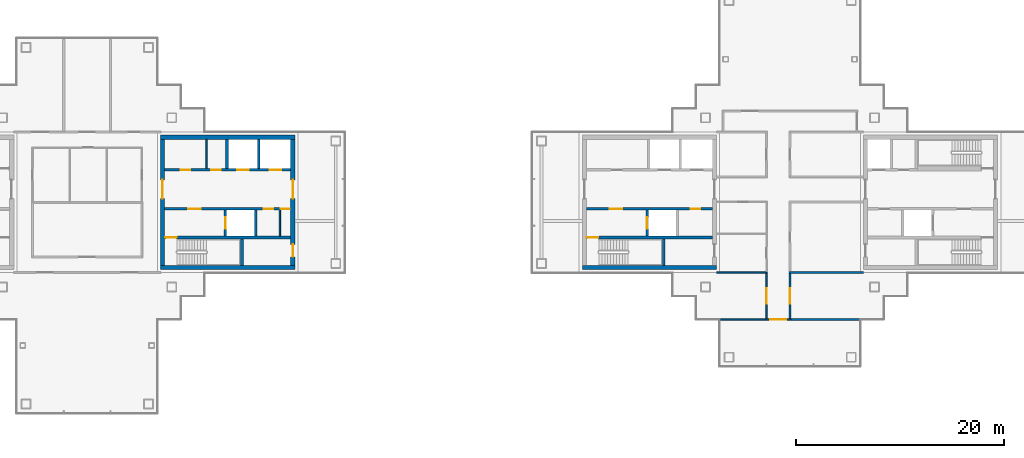
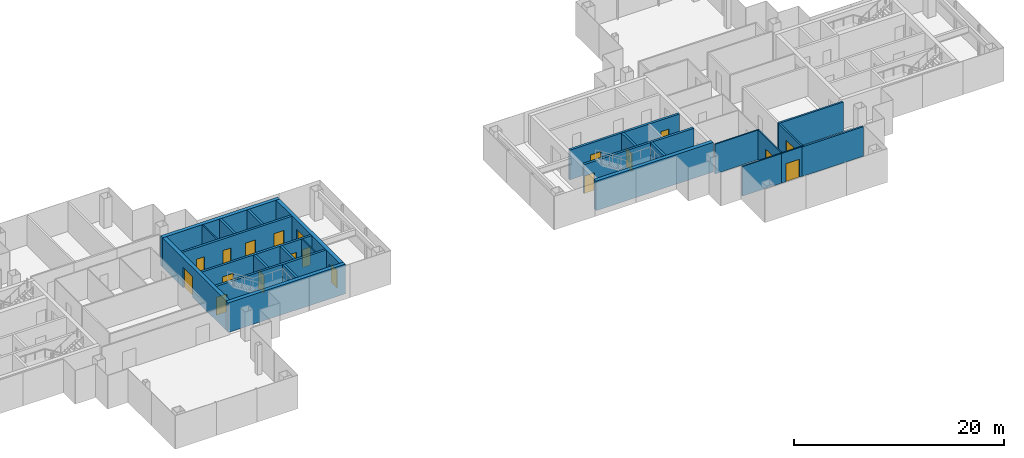
# One storey, part 10 of 15: 26 walls, 19 doors, 19 openings.
"""IFC4 building model written with IfcOpenShell, lengths in metres."""

import ifcopenshell
import ifcopenshell.guid

model = None  # the IFC model being written
_history = None  # IfcOwnerHistory: only IFC2X3 demands one
_inside = {}  # id of a spatial element -> (the spatial element, [elements in it])
_under = {}  # id of a project, library or spatial element -> (it, [spatial elements below it])
_declared = {}  # id of a project -> (the project, [libraries it declares])
_typed = {}  # id of a type object -> (the type object, [elements of that type])
_made_of = {}  # id of a material, layer set ... -> (it, [elements and type objects made of it])


def new_model(schema):
    """Start an empty IFC model of exactly this schema.

    Asked for "IFC4X3", IfcOpenShell would pick the latest addendum, in which some entities
    have other attributes; the version numbers below select the first issue.
    IFC2X3 requires an IfcOwnerHistory on every rooted entity: one is made here for all.
    """
    global model, _history
    if schema == "IFC4X3":
        model = ifcopenshell.file(schema_version=(4, 3, 0, 0))
    else:
        model = ifcopenshell.file(schema=schema)
    _inside.clear()
    _under.clear()
    _declared.clear()
    _typed.clear()
    _made_of.clear()
    _history = None
    if model.schema == "IFC2X3":
        org = make("IfcOrganization", Name="unknown")
        user = make(
            "IfcPersonAndOrganization",
            ThePerson=make("IfcPerson", FamilyName="unknown"),
            TheOrganization=org,
        )
        app = make(
            "IfcApplication",
            ApplicationDeveloper=org,
            Version="unknown",
            ApplicationFullName="unknown",
            ApplicationIdentifier="unknown",
        )
        _history = make(
            "IfcOwnerHistory",
            OwningUser=user,
            OwningApplication=app,
            ChangeAction="ADDED",
            CreationDate=0,
        )
    return model


def make(cls, **values):
    """One entity of the class cls with the attributes given. An attribute that is None is left unset."""
    return model.create_entity(
        cls, **{name: value for name, value in values.items() if value is not None}
    )


def rooted(cls, **values):
    """An entity with a GlobalId (a new one), such as an element, a storey or a relation."""
    return make(cls, GlobalId=ifcopenshell.guid.new(), OwnerHistory=_history, **values)


def si_unit(unit_type, name, prefix=None):
    """IfcSIUnit, for example si_unit("LENGTHUNIT", "METRE", prefix="MILLI")."""
    return make("IfcSIUnit", UnitType=unit_type, Prefix=prefix, Name=name)


def assignment(units):
    """IfcUnitAssignment: the units of a project."""
    return None if units is None else make("IfcUnitAssignment", Units=units)


def point(xyz):
    """IfcCartesianPoint."""
    return None if xyz is None else make("IfcCartesianPoint", Coordinates=xyz)


def direction(xyz):
    """IfcDirection."""
    return None if xyz is None else make("IfcDirection", DirectionRatios=xyz)


def frame(location, z_axis=None, x_axis=None):
    """IfcAxis2Placement3D, a coordinate frame: its origin and axes. An axis left out is left unset."""
    return make(
        "IfcAxis2Placement3D",
        Location=point(location),
        Axis=direction(z_axis),
        RefDirection=direction(x_axis),
    )


def frame_2d(location, x_axis=None):
    """IfcAxis2Placement2D, a coordinate frame in the plane: its origin and x axis."""
    return make(
        "IfcAxis2Placement2D", Location=point(location), RefDirection=direction(x_axis)
    )


def origin():
    """The frame at (0, 0, 0) with its axes left unset."""
    return frame((0.0, 0.0, 0.0))


def place(relative_to, where):
    """IfcLocalPlacement: puts the frame where relative to a parent placement (None: the world)."""
    return make(
        "IfcLocalPlacement", PlacementRelTo=relative_to, RelativePlacement=where
    )


def context(
    kind, dimensions, precision=None, world=None, true_north=None, identifier=None
):
    """IfcGeometricRepresentationContext, for example the 3D "Model" context."""
    return make(
        "IfcGeometricRepresentationContext",
        ContextIdentifier=identifier,
        ContextType=kind,
        CoordinateSpaceDimension=dimensions,
        Precision=precision,
        WorldCoordinateSystem=world,
        TrueNorth=true_north,
    )


def subcontext(parent, identifier, kind, view, scale=None):
    """IfcGeometricRepresentationSubContext, for example "Body" below "Model"."""
    return make(
        "IfcGeometricRepresentationSubContext",
        ContextIdentifier=identifier,
        ContextType=kind,
        ParentContext=parent,
        TargetScale=scale,
        TargetView=view,
    )


def project(units=None, contexts=None):
    """IfcProject with its units and contexts."""
    return rooted(
        "IfcProject",
        Name="project",
        RepresentationContexts=contexts,
        UnitsInContext=assignment(units),
    )


def spatial(cls, under=None, at=None, **own):
    """A site, building, storey or space (cls), placed at a placement, below another one or the project."""
    s = rooted(cls, ObjectPlacement=at, **own)
    if under is not None:
        _under.setdefault(under.id(), (under, []))[1].append(s)
    return s


def profile(cls, at=None, kind="AREA", **sizes):
    """A parametric profile (cls). Its sizes go by their IFC names, for example OverallWidth=200.0."""
    return make(cls, ProfileType=kind, Position=at, **sizes)


def rectangle(**sizes):
    """IfcRectangleProfileDef."""
    return profile("IfcRectangleProfileDef", **sizes)


def extrude(swept, where, along, depth):
    """IfcExtrudedAreaSolid: the profile swept, set in the frame where, extruded along a direction by depth."""
    return make(
        "IfcExtrudedAreaSolid",
        SweptArea=swept,
        Position=where,
        ExtrudedDirection=direction(along),
        Depth=depth,
    )


def shape(context_of_items, identifier, shape_type, items):
    """IfcShapeRepresentation: the items that make up one representation, for example the "Body"."""
    return make(
        "IfcShapeRepresentation",
        ContextOfItems=context_of_items,
        RepresentationIdentifier=identifier,
        RepresentationType=shape_type,
        Items=items,
    )


def material(Name=None, Category=None):
    """IfcMaterial."""
    return make("IfcMaterial", Name=Name, Category=Category)


def layer(
    of_material, thickness, ventilated=None, Name=None, Category=None, Priority=None
):
    """IfcMaterialLayer: one layer of a wall or slab, of a material (None: an air gap)."""
    return make(
        "IfcMaterialLayer",
        Material=of_material,
        LayerThickness=thickness,
        IsVentilated=ventilated,
        Name=Name,
        Category=Category,
        Priority=Priority,
    )


def layer_set(layers, Name=None):
    """IfcMaterialLayerSet."""
    return make("IfcMaterialLayerSet", MaterialLayers=layers, LayerSetName=Name)


def made_of(thing, what):
    """Note that an element or type object is made of a material, layer set ...; save() writes the relation."""
    if what is not None:
        _made_of.setdefault(what.id(), (what, []))[1].append(thing)
    return thing


def type_object(cls, material=None, **own):
    """A type object (cls), such as IfcWallType, which elements share."""
    return made_of(rooted(cls, **own), material)


def element(
    cls,
    number,
    at=None,
    inside=None,
    cuts=None,
    type_object=None,
    material=None,
    context=None,
    identifier="Body",
    shape_type=None,
    held_by="IfcProductDefinitionShape",
    body=None,
    shapes=None,
    **own,
):
    """One element of the class cls, such as IfcWall. Its Tag is "e" and its number.

    at: its placement. inside: the storey or other place that contains it. cuts: it is an
    opening in that element (IfcRelVoidsElement). A single representation is given by context,
    identifier, shape_type and body (its items); several are given by shapes. held_by: the class
    of the entity that holds the representations. save() writes the other relations.
    """
    e = rooted(cls, Tag="e%d" % number, ObjectPlacement=at, **own)
    if body is not None:
        shapes = [shape(context, identifier, shape_type, body)]
    if shapes is not None:
        e.Representation = make(held_by, Representations=shapes)
    if inside is not None:
        _inside.setdefault(inside.id(), (inside, []))[1].append(e)
    if cuts is not None:
        rooted(
            "IfcRelVoidsElement", RelatingBuildingElement=cuts, RelatedOpeningElement=e
        )
    if type_object is not None:
        _typed.setdefault(type_object.id(), (type_object, []))[1].append(e)
    return made_of(e, material)


def fill(opening, filler):
    """IfcRelFillsElement: the door or window that sits in an opening."""
    return rooted(
        "IfcRelFillsElement",
        RelatingOpeningElement=opening,
        RelatedBuildingElement=filler,
    )


def aggregate(whole, parts):
    """IfcRelAggregates: a whole, such as a stair, and the parts it consists of."""
    return rooted("IfcRelAggregates", RelatingObject=whole, RelatedObjects=parts)


def save(model, path):
    """Write the relations noted so far, then the file.

    IfcRelAggregates (storeys below a building ...), IfcRelContainedInSpatialStructure (elements
    in a storey), IfcRelDefinesByType, IfcRelAssociatesMaterial and IfcRelDeclares: one each for
    every whole, place, type object, material and project.
    """
    for whole, parts in _under.values():
        aggregate(whole, parts)
    for where, things in _inside.values():
        rooted(
            "IfcRelContainedInSpatialStructure",
            RelatedElements=things,
            RelatingStructure=where,
        )
    for kind, things in _typed.values():
        rooted("IfcRelDefinesByType", RelatedObjects=things, RelatingType=kind)
    for what, things in _made_of.values():
        rooted("IfcRelAssociatesMaterial", RelatedObjects=things, RelatingMaterial=what)
    for by, libraries in _declared.values():
        rooted("IfcRelDeclares", RelatingContext=by, RelatedDefinitions=libraries)
    model.write(path)


model = new_model("IFC4")

# Units and contexts
model_context = context("Model", 3, precision=1e-05, world=origin(), true_north=direction((0.0, 1.0)))
body_context = subcontext(model_context, "Body", "Model", "MODEL_VIEW")
ifc_project = project(units=[si_unit("LENGTHUNIT", "METRE"), si_unit("AREAUNIT", "SQUARE_METRE"), si_unit("VOLUMEUNIT", "CUBIC_METRE"), si_unit("PLANEANGLEUNIT", "RADIAN"), si_unit("MASSUNIT", "GRAM", prefix="KILO")], contexts=[model_context])

# Site, building, storey
site_placement = place(None, origin())
site = spatial("IfcSite", under=ifc_project, at=site_placement, CompositionType="ELEMENT")
building_placement = place(site_placement, origin())
building = spatial("IfcBuilding", under=site, at=building_placement, Name="Shamsa Quay Exchange Towers", CompositionType="ELEMENT")
storey_placement = place(building_placement, frame((0.0, 0.0, 269.39990234375)))
storey = spatial("IfcBuildingStorey", under=building, at=storey_placement, Name="L65", CompositionType="ELEMENT", Elevation=269.39990234375)

# Walls
ifc_material_1 = material(Name="Concrete C60/75", Category="concrete")
ifc_layer_1 = layer(ifc_material_1, 0.39990234375)
ifc_layer_set_1 = layer_set([ifc_layer_1], Name="CORE WALL 400 C60/75")
wall_type_1 = type_object("IfcWallType", Name="CORE WALL 400 C60/75", PredefinedType="SHEAR", material=ifc_layer_set_1)
for number, where, name in (
    (1, (-26.699951171875, -6.25, 0.0), "Core wall T1A-R30-PS"),
    (2, (-26.699951171875, 6.25, 0.0), "Core wall T1A-R30-PN"),
):
    element("IfcWall", number, at=place(storey_placement, frame(where)), inside=storey, type_object=wall_type_1, Name=name, PredefinedType="SHEAR", context=body_context, shape_type="SweptSolid", body=[
        extrude(rectangle(XDim=12.89990234375, YDim=0.39990234375, at=frame_2d((6.449951171875, 0.0))), origin(), (0.0, 0.0, 1.0), 3.4501953125),
    ])

# Wall, opening, door
wall_1_placement = place(storey_placement, frame((-26.5, 6.050048828125, 0.0), z_axis=(0.0, 0.0, 1.0), x_axis=(0.0, -1.0, 0.0)))
wall_1 = element("IfcWall", 3, at=wall_1_placement, inside=storey, type_object=wall_type_1, Name="Core wall T1A-R30-PF", PredefinedType="SHEAR", context=body_context, shape_type="SweptSolid", body=[
    extrude(rectangle(XDim=12.10009765625, YDim=0.39990234375, at=frame_2d((6.050048828125, 0.0))), origin(), (0.0, 0.0, 1.0), 3.4501953125),
])
opening_1_placement = place(wall_1_placement, frame((3.89990234375, 0.0, 0.0)))
opening_1 = element("IfcOpeningElement", 4, at=opening_1_placement, cuts=wall_1, Name="Opening T1A-R30-LBD01", PredefinedType="OPENING", context=body_context, shape_type="SweptSolid", body=[
    extrude(rectangle(XDim=1.800048828125, YDim=2.39990234375, at=frame_2d((0.89990234375, 1.199951171875))), frame((0.0, 0.2099609375, 0.0), z_axis=(0.0, -1.0, 0.0), x_axis=(1.0, 0.0, 0.0)), (0.0, 0.0, 1.0), 0.419921875),
])
ifc_material_2 = material(Name="Steel, fire rated", Category="steel")
door_type_1 = type_object("IfcDoorType", Name="LIFT LOBBY DOOR PAIR 1800", OperationType="DOUBLE_DOOR_SINGLE_SWING", PredefinedType="DOOR", material=ifc_material_2)
door_1_placement = place(opening_1_placement, origin())
door_1 = element("IfcDoor", 5, at=door_1_placement, inside=storey, type_object=door_type_1, Name="T1A-R30-LBD01", OperationType="DOUBLE_DOOR_SINGLE_SWING", OverallHeight=2.39990234375, OverallWidth=1.800048828125, PredefinedType="DOOR", context=body_context, shape_type="SweptSolid", body=[
    extrude(rectangle(XDim=1.800048828125, YDim=2.39990234375, at=frame_2d((0.89990234375, 1.199951171875))), frame((0.0, 0.02490234375, 0.0), z_axis=(0.0, -1.0, 0.0), x_axis=(1.0, 0.0, 0.0)), (0.0, 0.0, 1.0), 0.050048828125),
])
fill(opening_1, door_1)

# Wall, openings, doors
wall_2_placement = place(storey_placement, frame((-14.0, 6.050048828125, 0.0), z_axis=(0.0, 0.0, 1.0), x_axis=(0.0, -1.0, 0.0)))
wall_2 = element("IfcWall", 6, at=wall_2_placement, inside=storey, type_object=wall_type_1, Name="Core wall T1A-R30-PB", PredefinedType="SHEAR", context=body_context, shape_type="SweptSolid", body=[
    extrude(rectangle(XDim=12.10009765625, YDim=0.39990234375, at=frame_2d((6.050048828125, 0.0))), origin(), (0.0, 0.0, 1.0), 3.4501953125),
])
opening_2_placement = place(wall_2_placement, frame((10.10009765625, 0.0, 0.0)))
opening_2 = element("IfcOpeningElement", 7, at=opening_2_placement, cuts=wall_2, Name="Opening T1A-R30-RD02", PredefinedType="OPENING", context=body_context, shape_type="SweptSolid", body=[
    extrude(rectangle(XDim=1.199951171875, YDim=2.10009765625, at=frame_2d((0.60009765625, 1.050048828125))), frame((0.0, 0.2099609375, 0.0), z_axis=(0.0, -1.0, 0.0), x_axis=(1.0, 0.0, 0.0)), (0.0, 0.0, 1.0), 0.419921875),
])
opening_3_placement = place(wall_2_placement, frame((3.89990234375, 0.0, 0.0)))
opening_3 = element("IfcOpeningElement", 8, at=opening_3_placement, cuts=wall_2, Name="Opening T1A-R30-LBD03", PredefinedType="OPENING", context=body_context, shape_type="SweptSolid", body=[
    extrude(rectangle(XDim=1.800048828125, YDim=2.39990234375, at=frame_2d((0.89990234375, 1.199951171875))), frame((0.0, 0.2099609375, 0.0), z_axis=(0.0, -1.0, 0.0), x_axis=(1.0, 0.0, 0.0)), (0.0, 0.0, 1.0), 0.419921875),
])
door_2_placement = place(opening_3_placement, origin())
door_2 = element("IfcDoor", 9, at=door_2_placement, inside=storey, type_object=door_type_1, Name="T1A-R30-LBD03", OperationType="DOUBLE_DOOR_SINGLE_SWING", OverallHeight=2.39990234375, OverallWidth=1.800048828125, PredefinedType="DOOR", context=body_context, shape_type="SweptSolid", body=[
    extrude(rectangle(XDim=1.800048828125, YDim=2.39990234375, at=frame_2d((0.89990234375, 1.199951171875))), frame((0.0, 0.02490234375, 0.0), z_axis=(0.0, -1.0, 0.0), x_axis=(1.0, 0.0, 0.0)), (0.0, 0.0, 1.0), 0.050048828125),
])
fill(opening_3, door_2)
door_type_2 = type_object("IfcDoorType", Name="RISER ACCESS DOOR 1200", OperationType="SINGLE_SWING_LEFT", PredefinedType="DOOR", material=ifc_material_2)
door_3_placement = place(opening_2_placement, origin())
door_3 = element("IfcDoor", 10, at=door_3_placement, inside=storey, type_object=door_type_2, Name="T1A-R30-RD02", OperationType="SINGLE_SWING_RIGHT", OverallHeight=2.10009765625, OverallWidth=1.199951171875, PredefinedType="DOOR", context=body_context, shape_type="SweptSolid", body=[
    extrude(rectangle(XDim=1.199951171875, YDim=2.10009765625, at=frame_2d((0.60009765625, 1.050048828125))), frame((0.0, 0.02490234375, 0.0), z_axis=(0.0, -1.0, 0.0), x_axis=(1.0, 0.0, 0.0)), (0.0, 0.0, 1.0), 0.050048828125),
])
fill(opening_2, door_3)

# Walls
wall_3_placement = place(storey_placement, frame((13.800048828125, -6.25, 0.0)))
element("IfcWall", 11, at=wall_3_placement, inside=storey, type_object=wall_type_1, Name="Core wall T2A-R30-PS", PredefinedType="SHEAR", context=body_context, shape_type="SweptSolid", body=[
    extrude(rectangle(XDim=12.89990234375, YDim=0.39990234375, at=frame_2d((6.449951171875, 0.0))), origin(), (0.0, 0.0, 1.0), 3.4501953125),
])
ifc_material_3 = material(Name="Gypsum board on steel studs, EI 60", Category="steel")
ifc_layer_2 = layer(ifc_material_3, 0.14990234375)
ifc_layer_set_2 = layer_set([ifc_layer_2], Name="FIRE PARTITION 150")
wall_type_2 = type_object("IfcWallType", Name="FIRE PARTITION 150", PredefinedType="PARTITIONING", material=ifc_layer_set_2)
wall_4_placement = place(storey_placement, frame((-15.25, -3.25, 0.0), z_axis=(0.0, 0.0, 1.0), x_axis=(0.0, 1.0, 0.0)))
element("IfcWall", 12, at=wall_4_placement, inside=storey, type_object=wall_type_2, Name="Partition T1A-R30-EC0", PredefinedType="PARTITIONING", context=body_context, shape_type="SweptSolid", body=[
    extrude(rectangle(XDim=2.5, YDim=0.14990234375, at=frame_2d((1.25, 0.0))), origin(), (0.0, 0.0, 1.0), 3.4501953125),
])
wall_5_placement = place(storey_placement, frame((-22.300048828125, 3.25, 0.0), z_axis=(0.0, 0.0, 1.0), x_axis=(0.0, 1.0, 0.0)))
element("IfcWall", 13, at=wall_5_placement, inside=storey, type_object=wall_type_2, Name="Partition T1A-R30-FC0", PredefinedType="PARTITIONING", context=body_context, shape_type="SweptSolid", body=[
    extrude(rectangle(XDim=2.800048828125, YDim=0.14990234375, at=frame_2d((1.39990234375, 0.0))), origin(), (0.0, 0.0, 1.0), 3.4501953125),
])

# Wall, opening, door
ifc_material_4 = material(Name="Gypsum board partition on metal studs")
ifc_layer_3 = layer(ifc_material_4, 0.14990234375)
ifc_layer_set_3 = layer_set([ifc_layer_3], Name="Partition 150 mm EI 60")
wall_type_3 = type_object("IfcWallType", Name="Partition 150 mm EI 60", PredefinedType="PARTITIONING", material=ifc_layer_set_3)
wall_6_placement = place(storey_placement, frame((31.5, -11.175048828125, 0.0), z_axis=(0.0, 0.0, 1.0), x_axis=(0.0, 1.0, 0.0)))
wall_6 = element("IfcWall", 14, at=wall_6_placement, inside=storey, type_object=wall_type_3, Name="Partition T2-R30-W04", PredefinedType="PARTITIONING", context=body_context, shape_type="SweptSolid", body=[
    extrude(rectangle(XDim=4.35009765625, YDim=0.14990234375, at=frame_2d((2.175048828125, 0.0))), origin(), (0.0, 0.0, 1.0), 3.4501953125),
])
opening_4_placement = place(wall_6_placement, frame((1.425048828125, 0.0, 0.0)))
opening_4 = element("IfcOpeningElement", 15, at=opening_4_placement, cuts=wall_6, Name="Opening T2-R30-D06", PredefinedType="OPENING", context=body_context, shape_type="SweptSolid", body=[
    extrude(rectangle(XDim=1.5, YDim=2.10009765625, at=frame_2d((0.75, 1.050048828125))), frame((0.0, 0.0849609375, 0.0), z_axis=(0.0, -1.0, 0.0), x_axis=(1.0, 0.0, 0.0)), (0.0, 0.0, 1.0), 0.169921875),
])
ifc_material_5 = material(Name="Timber door leaf in a metal frame", Category="wood")
door_type_3 = type_object("IfcDoorType", Name="Door 1500x2100 FD30S pair", OperationType="NOTDEFINED", PredefinedType="DOOR", material=ifc_material_5)
door_4_placement = place(opening_4_placement, origin())
door_4 = element("IfcDoor", 16, at=door_4_placement, inside=storey, type_object=door_type_3, Name="Door T2-R30-D06", OperationType="DOUBLE_DOOR_SINGLE_SWING", OverallHeight=2.10009765625, OverallWidth=1.5, PredefinedType="DOOR", context=body_context, shape_type="SweptSolid", body=[
    extrude(rectangle(XDim=1.5, YDim=2.10009765625, at=frame_2d((0.75, 1.050048828125))), frame((0.0, 0.02490234375, 0.0), z_axis=(0.0, -1.0, 0.0), x_axis=(1.0, 0.0, 0.0)), (0.0, 0.0, 1.0), 0.050048828125),
])
fill(opening_4, door_4)

wall_7_placement = place(storey_placement, frame((33.85009765625, -11.25, 0.0), z_axis=(0.0, 0.0, 1.0), x_axis=(-1.0, 0.0, 0.0)))
wall_7 = element("IfcWall", 17, at=wall_7_placement, inside=storey, type_object=wall_type_3, Name="Partition T2-R30-W16", PredefinedType="PARTITIONING", context=body_context, shape_type="SweptSolid", body=[
    extrude(rectangle(XDim=2.425048828125, YDim=0.14990234375, at=frame_2d((1.21240234375, 0.0))), origin(), (0.0, 0.0, 1.0), 3.4501953125),
])
opening_5_placement = place(wall_7_placement, frame((0.47509765625, 0.0, 0.0)))
opening_5 = element("IfcOpeningElement", 18, at=opening_5_placement, cuts=wall_7, Name="Opening T2-R30-D05", PredefinedType="OPENING", context=body_context, shape_type="SweptSolid", body=[
    extrude(rectangle(XDim=1.5, YDim=2.10009765625, at=frame_2d((0.75, 1.050048828125))), frame((0.0, 0.0849609375, 0.0), z_axis=(0.0, -1.0, 0.0), x_axis=(1.0, 0.0, 0.0)), (0.0, 0.0, 1.0), 0.169921875),
])
door_5_placement = place(opening_5_placement, origin())
door_5 = element("IfcDoor", 19, at=door_5_placement, inside=storey, type_object=door_type_3, Name="Door T2-R30-D05", OperationType="DOUBLE_DOOR_SINGLE_SWING", OverallHeight=2.10009765625, OverallWidth=1.5, PredefinedType="DOOR", context=body_context, shape_type="SweptSolid", body=[
    extrude(rectangle(XDim=1.5, YDim=2.10009765625, at=frame_2d((0.75, 1.050048828125))), frame((0.0, 0.02490234375, 0.0), z_axis=(0.0, -1.0, 0.0), x_axis=(1.0, 0.0, 0.0)), (0.0, 0.0, 1.0), 0.050048828125),
])
fill(opening_5, door_5)

# Walls
wall_8_placement = place(storey_placement, frame((26.699951171875, -6.75, 0.0)))
element("IfcWall", 20, at=wall_8_placement, inside=storey, type_object=wall_type_3, Name="Partition T2-R30-W18", PredefinedType="PARTITIONING", context=body_context, shape_type="SweptSolid", body=[
    extrude(rectangle(XDim=4.875, YDim=0.14990234375, at=frame_2d((2.4375, 0.0))), origin(), (0.0, 0.0, 1.0), 3.4501953125),
])
wall_9_placement = place(storey_placement, frame((27.094970703125, -11.25, 0.0)))
element("IfcWall", 21, at=wall_9_placement, inside=storey, type_object=wall_type_3, Name="Partition T2-R30-W20", PredefinedType="PARTITIONING", context=body_context, shape_type="SweptSolid", body=[
    extrude(rectangle(XDim=4.47998046875, YDim=0.14990234375, at=frame_2d((2.239990234375, 0.0))), origin(), (0.0, 0.0, 1.0), 3.4501953125),
])
ifc_layer_4 = layer(ifc_material_4, 0.199951171875)
ifc_layer_set_4 = layer_set([ifc_layer_4], Name="Partition 200 mm EI 120")
wall_type_4 = type_object("IfcWallType", Name="Partition 200 mm EI 120", PredefinedType="PARTITIONING", material=ifc_layer_set_4)
wall_10_placement = place(storey_placement, frame((33.64990234375, -6.75, 0.0)))
element("IfcWall", 22, at=wall_10_placement, inside=storey, type_object=wall_type_4, Name="Partition T2-R30-W19", PredefinedType="PARTITIONING", context=body_context, shape_type="SweptSolid", body=[
    extrude(rectangle(XDim=7.150146484375, YDim=0.199951171875, at=frame_2d((3.5751953125, 0.0))), origin(), (0.0, 0.0, 1.0), 3.4501953125),
])

# Wall, opening, door
ifc_layer_5 = layer(ifc_material_4, 0.199951171875)
ifc_layer_set_5 = layer_set([ifc_layer_5], Name="Partition 200 mm EI 90")
wall_type_5 = type_object("IfcWallType", Name="Partition 200 mm EI 90", PredefinedType="PARTITIONING", material=ifc_layer_set_5)
wall_11_placement = place(storey_placement, frame((33.75, -6.85009765625, 0.0), z_axis=(0.0, 0.0, 1.0), x_axis=(0.0, -1.0, 0.0)))
wall_11 = element("IfcWall", 23, at=wall_11_placement, inside=storey, type_object=wall_type_5, Name="Partition T2-R30-W15", PredefinedType="PARTITIONING", context=body_context, shape_type="SweptSolid", body=[
    extrude(rectangle(XDim=4.2998046875, YDim=0.199951171875, at=frame_2d((2.14990234375, 0.0))), origin(), (0.0, 0.0, 1.0), 3.4501953125),
])
opening_6_placement = place(wall_11_placement, frame((1.39990234375, 0.0, 0.0)))
opening_6 = element("IfcOpeningElement", 24, at=opening_6_placement, cuts=wall_11, Name="Opening T2-R30-D02", PredefinedType="OPENING", context=body_context, shape_type="SweptSolid", body=[
    extrude(rectangle(XDim=1.5, YDim=2.39990234375, at=frame_2d((0.75, 1.199951171875))), frame((0.0, 0.10986328125, 0.0), z_axis=(0.0, -1.0, 0.0), x_axis=(1.0, 0.0, 0.0)), (0.0, 0.0, 1.0), 0.219970703125),
])
door_type_4 = type_object("IfcDoorType", Name="Door 1500x2400 FD30S pair", OperationType="NOTDEFINED", PredefinedType="DOOR", material=ifc_material_5)
door_6_placement = place(opening_6_placement, origin())
door_6 = element("IfcDoor", 25, at=door_6_placement, inside=storey, type_object=door_type_4, Name="Door T2-R30-D02", OperationType="DOUBLE_DOOR_SINGLE_SWING", OverallHeight=2.39990234375, OverallWidth=1.5, PredefinedType="DOOR", context=body_context, shape_type="SweptSolid", body=[
    extrude(rectangle(XDim=1.5, YDim=2.39990234375, at=frame_2d((0.75, 1.199951171875))), frame((0.0, 0.02490234375, 0.0), z_axis=(0.0, -1.0, 0.0), x_axis=(1.0, 0.0, 0.0)), (0.0, 0.0, 1.0), 0.050048828125),
])
fill(opening_6, door_6)

# Wall
wall_12_placement = place(storey_placement, frame((33.64990234375, -11.25, 0.0)))
element("IfcWall", 26, at=wall_12_placement, inside=storey, type_object=wall_type_5, Name="Partition T2-R30-W21", PredefinedType="PARTITIONING", context=body_context, shape_type="SweptSolid", body=[
    extrude(rectangle(XDim=6.755126953125, YDim=0.199951171875, at=frame_2d((3.37744140625, 0.0))), origin(), (0.0, 0.0, 1.0), 3.4501953125),
])

# Wall, opening, door
ifc_material_6 = material(Name="Concrete C50/60", Category="concrete")
ifc_layer_6 = layer(ifc_material_6, 0.25)
ifc_layer_set_6 = layer_set([ifc_layer_6], Name="SHAFT WALL 250 C50/60")
wall_type_6 = type_object("IfcWallType", Name="SHAFT WALL 250 C50/60", PredefinedType="SHEAR", material=ifc_layer_set_6)
wall_13_placement = place(storey_placement, frame((-14.199951171875, -3.375, 0.0), z_axis=(0.0, 0.0, 1.0), x_axis=(-1.0, 0.0, 0.0)))
wall_13 = element("IfcWall", 27, at=wall_13_placement, inside=storey, type_object=wall_type_6, Name="Shaft wall T1A-R30-STL", PredefinedType="SHEAR", context=body_context, shape_type="SweptSolid", body=[
    extrude(rectangle(XDim=12.10009765625, YDim=0.25, at=frame_2d((6.050048828125, 0.0))), origin(), (0.0, 0.0, 1.0), 3.4501953125),
])
opening_7_placement = place(wall_13_placement, frame((10.949951171875, 0.0, 0.0)))
opening_7 = element("IfcOpeningElement", 28, at=opening_7_placement, cuts=wall_13, Name="Opening T1A-R30-SD04", PredefinedType="OPENING", context=body_context, shape_type="SweptSolid", body=[
    extrude(rectangle(XDim=1.10009765625, YDim=2.10009765625, at=frame_2d((0.550048828125, 1.050048828125))), frame((0.0, 0.135009765625, 0.0), z_axis=(0.0, -1.0, 0.0), x_axis=(1.0, 0.0, 0.0)), (0.0, 0.0, 1.0), 0.27001953125),
])
door_type_5 = type_object("IfcDoorType", Name="STAIR DOOR 1100", OperationType="SINGLE_SWING_LEFT", PredefinedType="DOOR", material=ifc_material_2)
door_7_placement = place(opening_7_placement, origin())
door_7 = element("IfcDoor", 29, at=door_7_placement, inside=storey, type_object=door_type_5, Name="T1A-R30-SD04", OperationType="SINGLE_SWING_RIGHT", OverallHeight=2.10009765625, OverallWidth=1.10009765625, PredefinedType="DOOR", context=body_context, shape_type="SweptSolid", body=[
    extrude(rectangle(XDim=1.10009765625, YDim=2.10009765625, at=frame_2d((0.550048828125, 1.050048828125))), frame((0.0, 0.02490234375, 0.0), z_axis=(0.0, -1.0, 0.0), x_axis=(1.0, 0.0, 0.0)), (0.0, 0.0, 1.0), 0.050048828125),
])
fill(opening_7, door_7)

# Wall
wall_14_placement = place(storey_placement, frame((-18.875, -6.050048828125, 0.0), z_axis=(0.0, 0.0, 1.0), x_axis=(0.0, 1.0, 0.0)))
element("IfcWall", 30, at=wall_14_placement, inside=storey, type_object=wall_type_6, Name="Shaft wall T1A-R30-STF", PredefinedType="SHEAR", context=body_context, shape_type="SweptSolid", body=[
    extrude(rectangle(XDim=2.550048828125, YDim=0.25, at=frame_2d((1.27490234375, 0.0))), origin(), (0.0, 0.0, 1.0), 3.4501953125),
])

# Wall, openings, doors
wall_15_placement = place(storey_placement, frame((-14.199951171875, -0.625, 0.0), z_axis=(0.0, 0.0, 1.0), x_axis=(-1.0, 0.0, 0.0)))
wall_15 = element("IfcWall", 31, at=wall_15_placement, inside=storey, type_object=wall_type_6, Name="Shaft wall T1A-R30-B", PredefinedType="SHEAR", context=body_context, shape_type="SweptSolid", body=[
    extrude(rectangle(XDim=12.10009765625, YDim=0.25, at=frame_2d((6.050048828125, 0.0))), origin(), (0.0, 0.0, 1.0), 3.4501953125),
])
opening_8_placement = place(wall_15_placement, frame((8.64990234375, 0.0, 0.0)))
opening_8 = element("IfcOpeningElement", 32, at=opening_8_placement, cuts=wall_15, Name="Opening T1A-R30-FD05", PredefinedType="OPENING", context=body_context, shape_type="SweptSolid", body=[
    extrude(rectangle(XDim=1.199951171875, YDim=2.10009765625, at=frame_2d((0.60009765625, 1.050048828125))), frame((0.0, 0.135009765625, 0.0), z_axis=(0.0, -1.0, 0.0), x_axis=(1.0, 0.0, 0.0)), (0.0, 0.0, 1.0), 0.27001953125),
])
opening_9_placement = place(wall_15_placement, frame((1.699951171875, 0.0, 0.0)))
opening_9 = element("IfcOpeningElement", 33, at=opening_9_placement, cuts=wall_15, Name="Opening T1A-R30-SV06", PredefinedType="OPENING", context=body_context, shape_type="SweptSolid", body=[
    extrude(rectangle(XDim=0.89990234375, YDim=2.10009765625, at=frame_2d((0.449951171875, 1.050048828125))), frame((0.0, 0.135009765625, 0.0), z_axis=(0.0, -1.0, 0.0), x_axis=(1.0, 0.0, 0.0)), (0.0, 0.0, 1.0), 0.27001953125),
])
opening_10_placement = place(wall_15_placement, frame((0.074951171875, 0.0, 0.0)))
opening_10 = element("IfcOpeningElement", 34, at=opening_10_placement, cuts=wall_15, Name="Opening T1A-R30-SV07", PredefinedType="OPENING", context=body_context, shape_type="SweptSolid", body=[
    extrude(rectangle(XDim=0.89990234375, YDim=2.10009765625, at=frame_2d((0.449951171875, 1.050048828125))), frame((0.0, 0.135009765625, 0.0), z_axis=(0.0, -1.0, 0.0), x_axis=(1.0, 0.0, 0.0)), (0.0, 0.0, 1.0), 0.27001953125),
])
door_type_6 = type_object("IfcDoorType", Name="FIRE SERVICE LOBBY DOOR 1200", OperationType="SINGLE_SWING_LEFT", PredefinedType="DOOR", material=ifc_material_2)
door_8_placement = place(opening_8_placement, origin())
door_8 = element("IfcDoor", 35, at=door_8_placement, inside=storey, type_object=door_type_6, Name="T1A-R30-FD05", OperationType="SINGLE_SWING_RIGHT", OverallHeight=2.10009765625, OverallWidth=1.199951171875, PredefinedType="DOOR", context=body_context, shape_type="SweptSolid", body=[
    extrude(rectangle(XDim=1.199951171875, YDim=2.10009765625, at=frame_2d((0.60009765625, 1.050048828125))), frame((0.0, 0.02490234375, 0.0), z_axis=(0.0, -1.0, 0.0), x_axis=(1.0, 0.0, 0.0)), (0.0, 0.0, 1.0), 0.050048828125),
])
fill(opening_8, door_8)
door_type_7 = type_object("IfcDoorType", Name="SERVICE ROOM DOOR 900", OperationType="SINGLE_SWING_LEFT", PredefinedType="DOOR", material=ifc_material_2)
door_9_placement = place(opening_9_placement, origin())
door_9 = element("IfcDoor", 36, at=door_9_placement, inside=storey, type_object=door_type_7, Name="T1A-R30-SV06", OperationType="SINGLE_SWING_LEFT", OverallHeight=2.10009765625, OverallWidth=0.89990234375, PredefinedType="DOOR", context=body_context, shape_type="SweptSolid", body=[
    extrude(rectangle(XDim=0.89990234375, YDim=2.10009765625, at=frame_2d((0.449951171875, 1.050048828125))), frame((0.0, 0.02490234375, 0.0), z_axis=(0.0, -1.0, 0.0), x_axis=(1.0, 0.0, 0.0)), (0.0, 0.0, 1.0), 0.050048828125),
])
fill(opening_9, door_9)
door_10_placement = place(opening_10_placement, origin())
door_10 = element("IfcDoor", 37, at=door_10_placement, inside=storey, type_object=door_type_7, Name="T1A-R30-SV07", OperationType="SINGLE_SWING_LEFT", OverallHeight=2.10009765625, OverallWidth=0.89990234375, PredefinedType="DOOR", context=body_context, shape_type="SweptSolid", body=[
    extrude(rectangle(XDim=0.89990234375, YDim=2.10009765625, at=frame_2d((0.449951171875, 1.050048828125))), frame((0.0, 0.02490234375, 0.0), z_axis=(0.0, -1.0, 0.0), x_axis=(1.0, 0.0, 0.0)), (0.0, 0.0, 1.0), 0.050048828125),
])
fill(opening_10, door_10)

# Wall, opening, door
wall_16_placement = place(storey_placement, frame((-20.47509765625, -3.25, 0.0), z_axis=(0.0, 0.0, 1.0), x_axis=(0.0, 1.0, 0.0)))
wall_16 = element("IfcWall", 38, at=wall_16_placement, inside=storey, type_object=wall_type_6, Name="Shaft wall T1A-R30-FFF", PredefinedType="SHEAR", context=body_context, shape_type="SweptSolid", body=[
    extrude(rectangle(XDim=2.5, YDim=0.25, at=frame_2d((1.25, 0.0))), origin(), (0.0, 0.0, 1.0), 3.4501953125),
])
opening_11_placement = place(wall_16_placement, frame((0.699951171875, 0.0, 0.0)))
opening_11 = element("IfcOpeningElement", 39, at=opening_11_placement, cuts=wall_16, Name="Opening T1A-R30-LDF08", PredefinedType="OPENING", context=body_context, shape_type="SweptSolid", body=[
    extrude(rectangle(XDim=1.10009765625, YDim=2.10009765625, at=frame_2d((0.550048828125, 1.050048828125))), frame((0.0, 0.135009765625, 0.0), z_axis=(0.0, -1.0, 0.0), x_axis=(1.0, 0.0, 0.0)), (0.0, 0.0, 1.0), 0.27001953125),
])
door_type_8 = type_object("IfcDoorType", Name="FIRE SERVICE LANDING DOOR 1100", OperationType="SLIDING_TO_LEFT", PredefinedType="DOOR", material=ifc_material_2)
door_11_placement = place(opening_11_placement, origin())
door_11 = element("IfcDoor", 40, at=door_11_placement, inside=storey, type_object=door_type_8, Name="T1A-R30-LDF08", OperationType="SLIDING_TO_LEFT", OverallHeight=2.10009765625, OverallWidth=1.10009765625, PredefinedType="DOOR", context=body_context, shape_type="SweptSolid", body=[
    extrude(rectangle(XDim=1.10009765625, YDim=2.10009765625, at=frame_2d((0.550048828125, 1.050048828125))), frame((0.0, 0.02490234375, 0.0), z_axis=(0.0, -1.0, 0.0), x_axis=(1.0, 0.0, 0.0)), (0.0, 0.0, 1.0), 0.050048828125),
])
fill(opening_11, door_11)

# Wall
wall_17_placement = place(storey_placement, frame((-17.574951171875, -3.25, 0.0), z_axis=(0.0, 0.0, 1.0), x_axis=(0.0, 1.0, 0.0)))
element("IfcWall", 41, at=wall_17_placement, inside=storey, type_object=wall_type_6, Name="Shaft wall T1A-R30-FFB", PredefinedType="SHEAR", context=body_context, shape_type="SweptSolid", body=[
    extrude(rectangle(XDim=2.5, YDim=0.25, at=frame_2d((1.25, 0.0))), origin(), (0.0, 0.0, 1.0), 3.4501953125),
])

# Wall, openings, doors
wall_18_placement = place(storey_placement, frame((-26.300048828125, 3.125, 0.0)))
wall_18 = element("IfcWall", 42, at=wall_18_placement, inside=storey, type_object=wall_type_6, Name="Shaft wall T1A-R30-N", PredefinedType="SHEAR", context=body_context, shape_type="SweptSolid", body=[
    extrude(rectangle(XDim=12.10009765625, YDim=0.25, at=frame_2d((6.050048828125, 0.0))), origin(), (0.0, 0.0, 1.0), 3.4501953125),
])
opening_12_placement = place(wall_18_placement, frame((6.949951171875, 0.0, 0.0)))
opening_12 = element("IfcOpeningElement", 43, at=opening_12_placement, cuts=wall_18, Name="Opening T1A-R30-LD09", PredefinedType="OPENING", context=body_context, shape_type="SweptSolid", body=[
    extrude(rectangle(XDim=1.10009765625, YDim=2.10009765625, at=frame_2d((0.550048828125, 1.050048828125))), frame((0.0, 0.135009765625, 0.0), z_axis=(0.0, -1.0, 0.0), x_axis=(1.0, 0.0, 0.0)), (0.0, 0.0, 1.0), 0.27001953125),
])
opening_13_placement = place(wall_18_placement, frame((10.074951171875, 0.0, 0.0)))
opening_13 = element("IfcOpeningElement", 44, at=opening_13_placement, cuts=wall_18, Name="Opening T1A-R30-LD10", PredefinedType="OPENING", context=body_context, shape_type="SweptSolid", body=[
    extrude(rectangle(XDim=1.10009765625, YDim=2.10009765625, at=frame_2d((0.550048828125, 1.050048828125))), frame((0.0, 0.135009765625, 0.0), z_axis=(0.0, -1.0, 0.0), x_axis=(1.0, 0.0, 0.0)), (0.0, 0.0, 1.0), 0.27001953125),
])
opening_14_placement = place(wall_18_placement, frame((1.550048828125, 0.0, 0.0)))
opening_14 = element("IfcOpeningElement", 45, at=opening_14_placement, cuts=wall_18, Name="Opening T1A-R30-SV11", PredefinedType="OPENING", context=body_context, shape_type="SweptSolid", body=[
    extrude(rectangle(XDim=0.89990234375, YDim=2.10009765625, at=frame_2d((0.449951171875, 1.050048828125))), frame((0.0, 0.135009765625, 0.0), z_axis=(0.0, -1.0, 0.0), x_axis=(1.0, 0.0, 0.0)), (0.0, 0.0, 1.0), 0.27001953125),
])
opening_15_placement = place(wall_18_placement, frame((4.47509765625, 0.0, 0.0)))
opening_15 = element("IfcOpeningElement", 46, at=opening_15_placement, cuts=wall_18, Name="Opening T1A-R30-SV12", PredefinedType="OPENING", context=body_context, shape_type="SweptSolid", body=[
    extrude(rectangle(XDim=0.89990234375, YDim=2.10009765625, at=frame_2d((0.449951171875, 1.050048828125))), frame((0.0, 0.135009765625, 0.0), z_axis=(0.0, -1.0, 0.0), x_axis=(1.0, 0.0, 0.0)), (0.0, 0.0, 1.0), 0.27001953125),
])
door_type_9 = type_object("IfcDoorType", Name="LANDING DOOR 1100", OperationType="SLIDING_TO_LEFT", PredefinedType="DOOR", material=ifc_material_2)
door_12_placement = place(opening_12_placement, origin())
door_12 = element("IfcDoor", 47, at=door_12_placement, inside=storey, type_object=door_type_9, Name="T1A-R30-LD09", OperationType="SLIDING_TO_LEFT", OverallHeight=2.10009765625, OverallWidth=1.10009765625, PredefinedType="DOOR", context=body_context, shape_type="SweptSolid", body=[
    extrude(rectangle(XDim=1.10009765625, YDim=2.10009765625, at=frame_2d((0.550048828125, 1.050048828125))), frame((0.0, 0.02490234375, 0.0), z_axis=(0.0, -1.0, 0.0), x_axis=(1.0, 0.0, 0.0)), (0.0, 0.0, 1.0), 0.050048828125),
])
fill(opening_12, door_12)
door_13_placement = place(opening_13_placement, origin())
door_13 = element("IfcDoor", 48, at=door_13_placement, inside=storey, type_object=door_type_9, Name="T1A-R30-LD10", OperationType="SLIDING_TO_LEFT", OverallHeight=2.10009765625, OverallWidth=1.10009765625, PredefinedType="DOOR", context=body_context, shape_type="SweptSolid", body=[
    extrude(rectangle(XDim=1.10009765625, YDim=2.10009765625, at=frame_2d((0.550048828125, 1.050048828125))), frame((0.0, 0.02490234375, 0.0), z_axis=(0.0, -1.0, 0.0), x_axis=(1.0, 0.0, 0.0)), (0.0, 0.0, 1.0), 0.050048828125),
])
fill(opening_13, door_13)
door_14_placement = place(opening_14_placement, origin())
door_14 = element("IfcDoor", 49, at=door_14_placement, inside=storey, type_object=door_type_7, Name="T1A-R30-SV11", OperationType="SINGLE_SWING_LEFT", OverallHeight=2.10009765625, OverallWidth=0.89990234375, PredefinedType="DOOR", context=body_context, shape_type="SweptSolid", body=[
    extrude(rectangle(XDim=0.89990234375, YDim=2.10009765625, at=frame_2d((0.449951171875, 1.050048828125))), frame((0.0, 0.02490234375, 0.0), z_axis=(0.0, -1.0, 0.0), x_axis=(1.0, 0.0, 0.0)), (0.0, 0.0, 1.0), 0.050048828125),
])
fill(opening_14, door_14)
door_15_placement = place(opening_15_placement, origin())
door_15 = element("IfcDoor", 50, at=door_15_placement, inside=storey, type_object=door_type_7, Name="T1A-R30-SV12", OperationType="SINGLE_SWING_LEFT", OverallHeight=2.10009765625, OverallWidth=0.89990234375, PredefinedType="DOOR", context=body_context, shape_type="SweptSolid", body=[
    extrude(rectangle(XDim=0.89990234375, YDim=2.10009765625, at=frame_2d((0.449951171875, 1.050048828125))), frame((0.0, 0.02490234375, 0.0), z_axis=(0.0, -1.0, 0.0), x_axis=(1.0, 0.0, 0.0)), (0.0, 0.0, 1.0), 0.050048828125),
])
fill(opening_15, door_15)

# Walls
for number, where, z_axis, x_axis, name in (
    (51, (-20.324951171875, 3.25, 0.0), (0.0, 0.0, 1.0), (0.0, 1.0, 0.0), "Shaft wall T1A-R30-D1"),
    (52, (-17.27490234375, 3.25, 0.0), (0.0, 0.0, 1.0), (0.0, 1.0, 0.0), "Shaft wall T1A-R30-D2"),
):
    element("IfcWall", number, at=place(storey_placement, frame(where, z_axis=z_axis, x_axis=x_axis)), inside=storey, type_object=wall_type_6, Name=name, PredefinedType="SHEAR", context=body_context, shape_type="SweptSolid", body=[
        extrude(rectangle(XDim=2.800048828125, YDim=0.25, at=frame_2d((1.39990234375, 0.0))), origin(), (0.0, 0.0, 1.0), 3.4501953125),
    ])

# Wall, opening, door
wall_19_placement = place(storey_placement, frame((26.300048828125, -3.375, 0.0), z_axis=(0.0, 0.0, 1.0), x_axis=(-1.0, 0.0, 0.0)))
wall_19 = element("IfcWall", 53, at=wall_19_placement, inside=storey, type_object=wall_type_6, Name="Shaft wall T2A-R30-STL", PredefinedType="SHEAR", context=body_context, shape_type="SweptSolid", body=[
    extrude(rectangle(XDim=12.10009765625, YDim=0.25, at=frame_2d((6.050048828125, 0.0))), origin(), (0.0, 0.0, 1.0), 3.4501953125),
])
opening_16_placement = place(wall_19_placement, frame((10.949951171875, 0.0, 0.0)))
opening_16 = element("IfcOpeningElement", 54, at=opening_16_placement, cuts=wall_19, Name="Opening T2A-R30-SD04", PredefinedType="OPENING", context=body_context, shape_type="SweptSolid", body=[
    extrude(rectangle(XDim=1.10009765625, YDim=2.10009765625, at=frame_2d((0.550048828125, 1.050048828125))), frame((0.0, 0.135009765625, 0.0), z_axis=(0.0, -1.0, 0.0), x_axis=(1.0, 0.0, 0.0)), (0.0, 0.0, 1.0), 0.27001953125),
])
door_16_placement = place(opening_16_placement, origin())
door_16 = element("IfcDoor", 55, at=door_16_placement, inside=storey, type_object=door_type_5, Name="T2A-R30-SD04", OperationType="SINGLE_SWING_RIGHT", OverallHeight=2.10009765625, OverallWidth=1.10009765625, PredefinedType="DOOR", context=body_context, shape_type="SweptSolid", body=[
    extrude(rectangle(XDim=1.10009765625, YDim=2.10009765625, at=frame_2d((0.550048828125, 1.050048828125))), frame((0.0, 0.02490234375, 0.0), z_axis=(0.0, -1.0, 0.0), x_axis=(1.0, 0.0, 0.0)), (0.0, 0.0, 1.0), 0.050048828125),
])
fill(opening_16, door_16)

# Wall
wall_20_placement = place(storey_placement, frame((21.625, -6.050048828125, 0.0), z_axis=(0.0, 0.0, 1.0), x_axis=(0.0, 1.0, 0.0)))
element("IfcWall", 56, at=wall_20_placement, inside=storey, type_object=wall_type_6, Name="Shaft wall T2A-R30-STF", PredefinedType="SHEAR", context=body_context, shape_type="SweptSolid", body=[
    extrude(rectangle(XDim=2.550048828125, YDim=0.25, at=frame_2d((1.27490234375, 0.0))), origin(), (0.0, 0.0, 1.0), 3.4501953125),
])

# Wall, openings, doors
wall_21_placement = place(storey_placement, frame((26.300048828125, -0.625, 0.0), z_axis=(0.0, 0.0, 1.0), x_axis=(-1.0, 0.0, 0.0)))
wall_21 = element("IfcWall", 57, at=wall_21_placement, inside=storey, type_object=wall_type_6, Name="Shaft wall T2A-R30-B", PredefinedType="SHEAR", context=body_context, shape_type="SweptSolid", body=[
    extrude(rectangle(XDim=12.10009765625, YDim=0.25, at=frame_2d((6.050048828125, 0.0))), origin(), (0.0, 0.0, 1.0), 3.4501953125),
])
opening_17_placement = place(wall_21_placement, frame((8.64990234375, 0.0, 0.0)))
opening_17 = element("IfcOpeningElement", 58, at=opening_17_placement, cuts=wall_21, Name="Opening T2A-R30-FD05", PredefinedType="OPENING", context=body_context, shape_type="SweptSolid", body=[
    extrude(rectangle(XDim=1.199951171875, YDim=2.10009765625, at=frame_2d((0.60009765625, 1.050048828125))), frame((0.0, 0.135009765625, 0.0), z_axis=(0.0, -1.0, 0.0), x_axis=(1.0, 0.0, 0.0)), (0.0, 0.0, 1.0), 0.27001953125),
])
opening_18_placement = place(wall_21_placement, frame((1.175048828125, 0.0, 0.0)))
opening_18 = element("IfcOpeningElement", 59, at=opening_18_placement, cuts=wall_21, Name="Opening T2A-R30-SV06", PredefinedType="OPENING", context=body_context, shape_type="SweptSolid", body=[
    extrude(rectangle(XDim=0.89990234375, YDim=2.10009765625, at=frame_2d((0.449951171875, 1.050048828125))), frame((0.0, 0.135009765625, 0.0), z_axis=(0.0, -1.0, 0.0), x_axis=(1.0, 0.0, 0.0)), (0.0, 0.0, 1.0), 0.27001953125),
])
door_17_placement = place(opening_17_placement, origin())
door_17 = element("IfcDoor", 60, at=door_17_placement, inside=storey, type_object=door_type_6, Name="T2A-R30-FD05", OperationType="SINGLE_SWING_RIGHT", OverallHeight=2.10009765625, OverallWidth=1.199951171875, PredefinedType="DOOR", context=body_context, shape_type="SweptSolid", body=[
    extrude(rectangle(XDim=1.199951171875, YDim=2.10009765625, at=frame_2d((0.60009765625, 1.050048828125))), frame((0.0, 0.02490234375, 0.0), z_axis=(0.0, -1.0, 0.0), x_axis=(1.0, 0.0, 0.0)), (0.0, 0.0, 1.0), 0.050048828125),
])
fill(opening_17, door_17)
door_18_placement = place(opening_18_placement, origin())
door_18 = element("IfcDoor", 61, at=door_18_placement, inside=storey, type_object=door_type_7, Name="T2A-R30-SV06", OperationType="SINGLE_SWING_LEFT", OverallHeight=2.10009765625, OverallWidth=0.89990234375, PredefinedType="DOOR", context=body_context, shape_type="SweptSolid", body=[
    extrude(rectangle(XDim=0.89990234375, YDim=2.10009765625, at=frame_2d((0.449951171875, 1.050048828125))), frame((0.0, 0.02490234375, 0.0), z_axis=(0.0, -1.0, 0.0), x_axis=(1.0, 0.0, 0.0)), (0.0, 0.0, 1.0), 0.050048828125),
])
fill(opening_18, door_18)

# Wall, opening, door
wall_22_placement = place(storey_placement, frame((20.02490234375, -3.25, 0.0), z_axis=(0.0, 0.0, 1.0), x_axis=(0.0, 1.0, 0.0)))
wall_22 = element("IfcWall", 62, at=wall_22_placement, inside=storey, type_object=wall_type_6, Name="Shaft wall T2A-R30-FFF", PredefinedType="SHEAR", context=body_context, shape_type="SweptSolid", body=[
    extrude(rectangle(XDim=2.5, YDim=0.25, at=frame_2d((1.25, 0.0))), origin(), (0.0, 0.0, 1.0), 3.4501953125),
])
opening_19_placement = place(wall_22_placement, frame((0.699951171875, 0.0, 0.0)))
opening_19 = element("IfcOpeningElement", 63, at=opening_19_placement, cuts=wall_22, Name="Opening T2A-R30-LDF07", PredefinedType="OPENING", context=body_context, shape_type="SweptSolid", body=[
    extrude(rectangle(XDim=1.10009765625, YDim=2.10009765625, at=frame_2d((0.550048828125, 1.050048828125))), frame((0.0, 0.135009765625, 0.0), z_axis=(0.0, -1.0, 0.0), x_axis=(1.0, 0.0, 0.0)), (0.0, 0.0, 1.0), 0.27001953125),
])
door_19_placement = place(opening_19_placement, origin())
door_19 = element("IfcDoor", 64, at=door_19_placement, inside=storey, type_object=door_type_8, Name="T2A-R30-LDF07", OperationType="SLIDING_TO_LEFT", OverallHeight=2.10009765625, OverallWidth=1.10009765625, PredefinedType="DOOR", context=body_context, shape_type="SweptSolid", body=[
    extrude(rectangle(XDim=1.10009765625, YDim=2.10009765625, at=frame_2d((0.550048828125, 1.050048828125))), frame((0.0, 0.02490234375, 0.0), z_axis=(0.0, -1.0, 0.0), x_axis=(1.0, 0.0, 0.0)), (0.0, 0.0, 1.0), 0.050048828125),
])
fill(opening_19, door_19)

save(model, "model.ifc")
